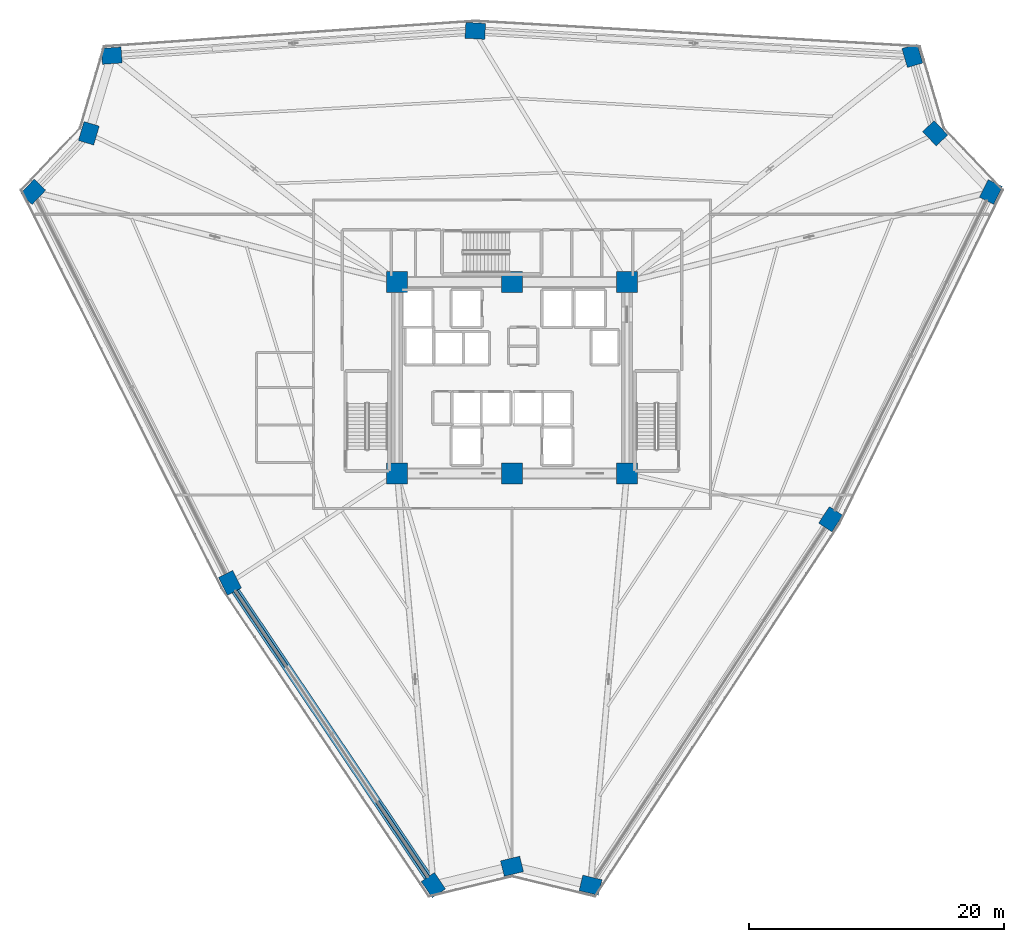
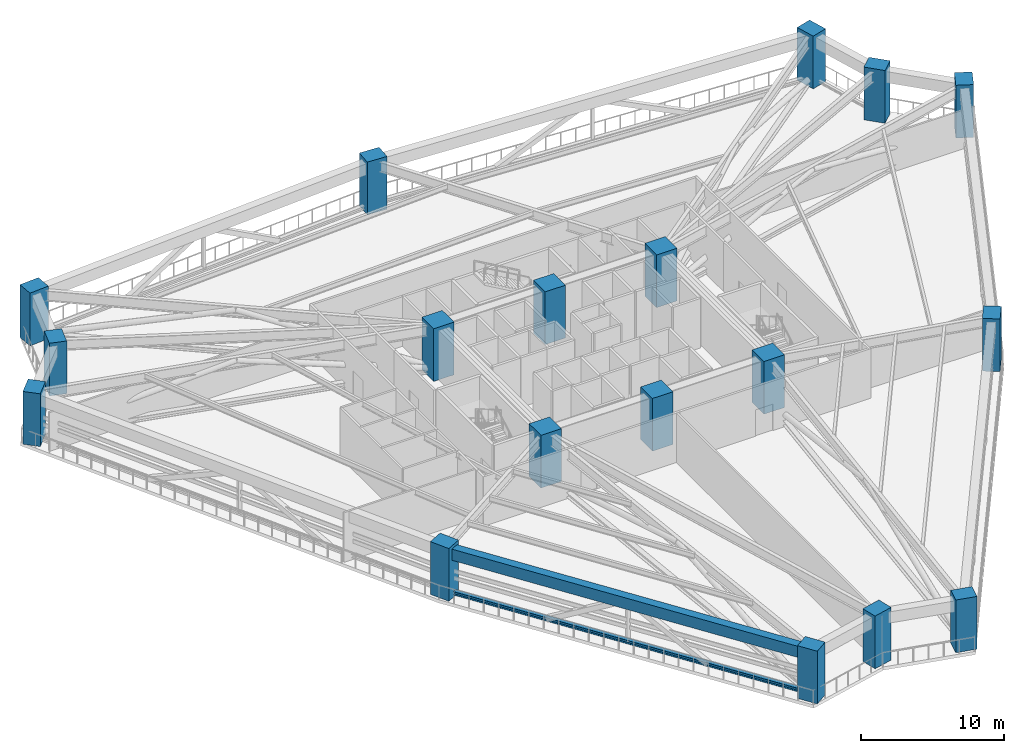
# One storey, part 1 of 25: 18 columns, 1 beam, 1 member.
"""IFC4 building model written with IfcOpenShell, lengths in metres."""

from ifc_helpers import new_model, si_unit, direction, frame, origin, origin_2d, place, context, subcontext, project, spatial, rectangle, i_section, extrude, source, transform, mapped, material, material_profile, profile_set, type_object, element, save


model = new_model("IFC4")

# Units and contexts
model_context = context("Model", 3, precision=1e-05, world=origin(), true_north=direction((0.0, 1.0)))
body_context = subcontext(model_context, "Body", "Model", "MODEL_VIEW")
ifc_project = project(units=[si_unit("LENGTHUNIT", "METRE"), si_unit("AREAUNIT", "SQUARE_METRE"), si_unit("VOLUMEUNIT", "CUBIC_METRE"), si_unit("PLANEANGLEUNIT", "RADIAN"), si_unit("MASSUNIT", "GRAM", prefix="KILO")], contexts=[model_context])

# Site, building, storey
site_placement = place(None, origin())
site = spatial("IfcSite", under=ifc_project, at=site_placement, CompositionType="ELEMENT")
building_placement = place(site_placement, origin())
building = spatial("IfcBuilding", under=site, at=building_placement, Name="Liaohun Quay Tower", CompositionType="ELEMENT")
storey_placement = place(building_placement, frame((0.0, 0.0, 93.0)))
storey = spatial("IfcBuildingStorey", under=building, at=storey_placement, Name="L24", CompositionType="ELEMENT", Elevation=93.0)

# Columns
ifc_material_1 = material(Name="Concrete C60", Category="concrete")
ifc_material_profile_1 = material_profile(ifc_material_1, rectangle(XDim=1.550048828125, YDim=1.25, at=origin_2d()), Name="RC1550x1250")
ifc_profile_set_1 = profile_set([ifc_material_profile_1], Name="Concrete C60")
column_type_1 = type_object("IfcColumnType", Name="COL-PIER-Z1", PredefinedType="COLUMN", material=ifc_profile_set_1)
shared_shape_1 = source(origin(), body_context, "Body", "SweptSolid", [
    extrude(rectangle(XDim=1.550048828125, YDim=1.25, at=origin_2d()), origin(), (0.0, 0.0, 1.0), 4.5),
])
for number, where, z_axis, x_axis, name in (
    (1, (53.837890625, 14.22705078125, 0.0), (0.0, 0.0, 1.0), (-0.557889964956, 0.829914927569, 0.0), "L24 Perimeter Pier PC01"),
    (2, (37.908935546875, 37.925048828125, 0.0), (0.0, 0.0, 1.0), (-0.449942579956, 0.893057486807, 0.0), "L24 Perimeter Pier PC02"),
    (3, (22.47900390625, 68.554931640625, 0.0), (0.0, 0.0, 1.0), (0.68936671806, 0.724412539946, 0.0), "L24 Perimeter Pier PC03"),
    (4, (26.844970703125, 73.14208984375, 0.0), (0.0, 0.0, 1.0), (0.282676303383, 0.959215360337, 0.0), "L24 Perimeter Pier PC04"),
    (5, (28.636962890625, 79.221923828125, 0.0), (0.0, 0.0, 1.0), (0.997672392732, 0.068189418384, 0.0), "L24 Perimeter Pier PC05"),
    (6, (57.1240234375, 81.16796875, 0.0), (0.0, 0.0, 1.0), (-0.998381760593, 0.056867038918, 0.0), "L24 Perimeter Pier PC06"),
    (7, (91.364990234375, 79.215087890625, 0.0), (0.0, 0.0, 1.0), (-0.282676303383, 0.959215360337, 0.0), "L24 Perimeter Pier PC07"),
    (8, (93.155029296875, 73.14208984375, 0.0), (0.0, 0.0, 1.0), (-0.68936671806, 0.724412539946, 0.0), "L24 Perimeter Pier PC08"),
    (9, (97.52490234375, 68.550048828125, 0.0), (0.0, 0.0, 1.0), (0.439782427776, 0.898104345953, 0.0), "L24 Perimeter Pier PC09"),
    (10, (84.967041015625, 42.906982421875, 0.0), (0.0, 0.0, 1.0), (0.548439180637, 0.83619044789, 0.0), "L24 Perimeter Pier PC10"),
    (11, (66.155029296875, 14.22900390625, 0.0), (0.0, 0.0, 1.0), (-0.972043021443, 0.234802820391, 0.0), "L24 Perimeter Pier PC11"),
    (12, (60.0, 15.715087890625, 0.0), (0.0, 0.0, 1.0), (0.972043021443, 0.234802820391, 0.0), "L24 Perimeter Pier PC12"),
):
    element("IfcColumn", number, at=place(storey_placement, frame(where, z_axis=z_axis, x_axis=x_axis)), inside=storey, type_object=column_type_1, Name=name, PredefinedType="COLUMN", context=body_context, shape_type="MappedRepresentation", body=[
        mapped(shared_shape_1, transform((0.0, 0.0, 0.0), x_axis=(1.0, 0.0, 0.0), y_axis=(0.0, 1.0, 0.0), z_axis=(0.0, 0.0, 1.0), scale=1.0)),
    ])
ifc_material_profile_2 = material_profile(ifc_material_1, rectangle(XDim=1.64990234375, YDim=1.64990234375, at=origin_2d()), Name="RC1650x1650")
ifc_profile_set_2 = profile_set([ifc_material_profile_2], Name="Concrete C60")
column_type_2 = type_object("IfcColumnType", Name="COL-CC-Z1", PredefinedType="COLUMN", material=ifc_profile_set_2)
shared_shape_2 = source(origin(), body_context, "Body", "SweptSolid", [
    extrude(rectangle(XDim=1.64990234375, YDim=1.64990234375, at=origin_2d()), origin(), (0.0, 0.0, 1.0), 4.5),
])
for number, where, z_axis, x_axis, name in (
    (13, (51.0, 46.5, 0.0), (0.0, 0.0, 1.0), (1.0, 0.0, 0.0), "L24 Core Column CC1"),
    (14, (60.0, 46.5, 0.0), (0.0, 0.0, 1.0), (1.0, 0.0, 0.0), "L24 Core Column CC2"),
    (15, (69.0, 46.5, 0.0), (0.0, 0.0, 1.0), (1.0, 0.0, 0.0), "L24 Core Column CC3"),
    (16, (69.0, 61.5, 0.0), (0.0, 0.0, 1.0), (1.0, 0.0, 0.0), "L24 Core Column CC4"),
    (17, (60.0, 61.5, 0.0), (0.0, 0.0, 1.0), (1.0, 0.0, 0.0), "L24 Core Column CC5"),
    (18, (51.0, 61.5, 0.0), (0.0, 0.0, 1.0), (1.0, 0.0, 0.0), "L24 Core Column CC6"),
):
    element("IfcColumn", number, at=place(storey_placement, frame(where, z_axis=z_axis, x_axis=x_axis)), inside=storey, type_object=column_type_2, Name=name, PredefinedType="COLUMN", context=body_context, shape_type="MappedRepresentation", body=[
        mapped(shared_shape_2, transform((0.0, 0.0, 0.0), x_axis=(1.0, 0.0, 0.0), y_axis=(0.0, 1.0, 0.0), z_axis=(0.0, 0.0, 1.0), scale=1.0)),
    ])

# Beam
ifc_material_2 = material(Name="Precast concrete C55", Category="concrete")
ifc_material_profile_3 = material_profile(ifc_material_2, rectangle(XDim=0.64990234375, YDim=0.949951171875, at=origin_2d()), Name="RC650x950")
ifc_profile_set_3 = profile_set([ifc_material_profile_3], Name="Precast concrete C55")
beam_type = type_object("IfcBeamType", Name="BM-SPD-Z1", PredefinedType="SPANDREL", material=ifc_profile_set_3)
shared_shape_3 = source(origin(), body_context, "Body", "SweptSolid", [
    extrude(rectangle(XDim=0.64990234375, YDim=0.949951171875, at=origin_2d()), origin(), (0.0, 0.0, 1.0), 28.553955078125),
])
beam_placement = place(storey_placement, frame((53.837890625, 14.22705078125, 3.7451171875), z_axis=(-0.557855153523, 0.829938327642, 0.0), x_axis=(-0.829938327642, -0.557855153523, 0.0)))
element("IfcBeam", 19, at=beam_placement, inside=storey, type_object=beam_type, Name="L24 Precast Spandrel Beam PC01-PC02", PredefinedType="SPANDREL", context=body_context, shape_type="MappedRepresentation", body=[
    mapped(shared_shape_3, transform((0.0, 0.0, 0.0), x_axis=(1.0, 0.0, 0.0), y_axis=(0.0, 1.0, 0.0), z_axis=(0.0, 0.0, 1.0), scale=1.0)),
])

# Member
ifc_material_3 = material(Name="Steel Q355D", Category="steel")
ifc_material_profile_4 = material_profile(ifc_material_3, i_section(OverallWidth=0.300048828125, OverallDepth=0.300048828125, WebThickness=0.010009765625, FlangeThickness=0.014892578125, at=origin_2d()), Name="HW300x300x10x15")
ifc_profile_set_4 = profile_set([ifc_material_profile_4], Name="Steel Q355D")
member_type = type_object("IfcMemberType", Name="MEM-BLT-CHD", PredefinedType="CHORD", material=ifc_profile_set_4)
shared_shape_4 = source(origin(), body_context, "Body", "SweptSolid", [
    extrude(i_section(OverallWidth=0.300048828125, OverallDepth=0.300048828125, WebThickness=0.010009765625, FlangeThickness=0.014892578125, at=origin_2d()), origin(), (0.0, 0.0, 1.0), 28.553955078125),
])
member_placement = place(storey_placement, frame((53.837890625, 14.22705078125, 0.35009765625), z_axis=(-0.557855153523, 0.829938327642, 0.0), x_axis=(-0.829938327642, -0.557855153523, 0.0)))
element("IfcMember", 20, at=member_placement, inside=storey, type_object=member_type, Name="L24 Belt Truss Bottom Chord BC-1-01", PredefinedType="CHORD", context=body_context, shape_type="MappedRepresentation", body=[
    mapped(shared_shape_4, transform((0.0, 0.0, 0.0), x_axis=(1.0, 0.0, 0.0), y_axis=(0.0, 1.0, 0.0), z_axis=(0.0, 0.0, 1.0), scale=1.0)),
])

save(model, "model.ifc")
